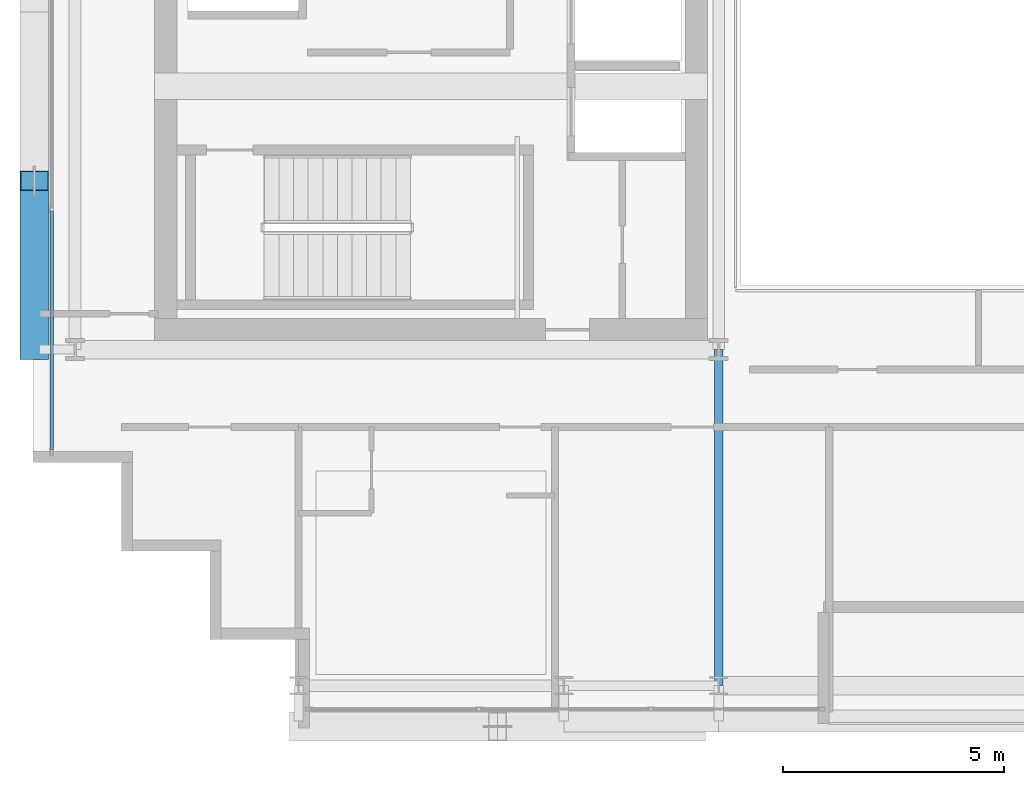
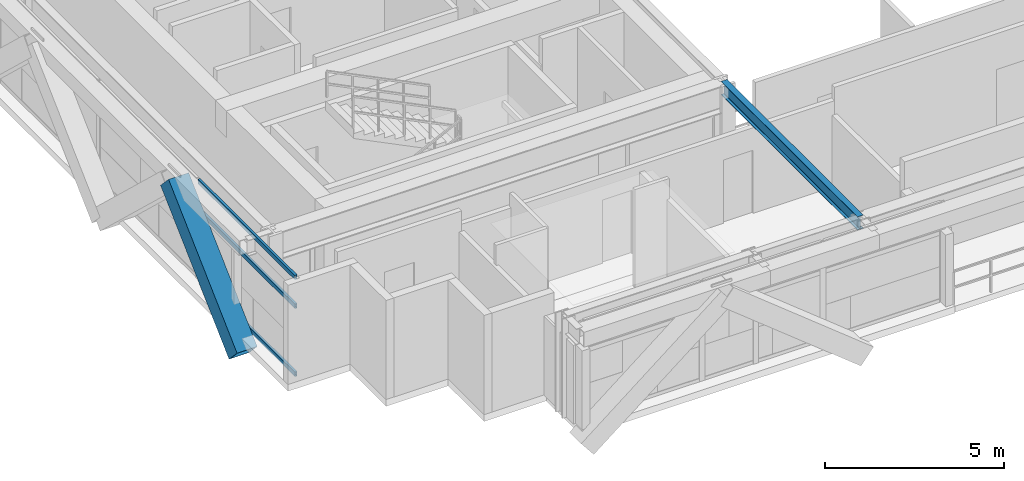
# One storey, part 3 of 31: 4 members, 1 beam, 1 element without a shape of its own.
"""IFC4 building model written with IfcOpenShell, lengths in metres."""

from ifc_helpers import new_model, si_unit, direction, frame, origin, origin_2d, place, context, subcontext, project, spatial, hollow_rectangle, i_section, extrude, source, transform, mapped, material, layer, layer_set, material_profile, profile_set, type_object, element, aggregate, save


model = new_model("IFC4")

# Units and contexts
model_context = context("Model", 3, precision=1e-05, world=origin(), true_north=direction((0.0, 1.0)))
body_context = subcontext(model_context, "Body", "Model", "MODEL_VIEW")
ifc_project = project(units=[si_unit("LENGTHUNIT", "METRE"), si_unit("AREAUNIT", "SQUARE_METRE"), si_unit("VOLUMEUNIT", "CUBIC_METRE"), si_unit("PLANEANGLEUNIT", "RADIAN"), si_unit("MASSUNIT", "GRAM", prefix="KILO")], contexts=[model_context])

# Site, building, storey
site_placement = place(None, origin())
site = spatial("IfcSite", under=ifc_project, at=site_placement, CompositionType="ELEMENT")
building_placement = place(site_placement, origin())
building = spatial("IfcBuilding", under=site, at=building_placement, Name="Ocotamira Hotel", CompositionType="ELEMENT")
storey_placement = place(building_placement, frame((0.0, 0.0, 188.39990234375)))
storey = spatial("IfcBuildingStorey", under=building, at=storey_placement, Name="L47", CompositionType="ELEMENT", Elevation=188.39990234375)

# Beam
ifc_material_1 = material(Name="Steel ASTM A992 Grade 50", Category="steel")
ifc_material_profile_1 = material_profile(ifc_material_1, i_section(OverallWidth=0.18994140625, OverallDepth=0.45703125, WebThickness=0.009033203125, FlangeThickness=0.014404296875, FilletRadius=0.010009765625, at=origin_2d()), Name="W18X50")
ifc_profile_set_1 = profile_set([ifc_material_profile_1], Name="Steel ASTM A992 Grade 50")
beam_type = type_object("IfcBeamType", Name="BM-SEC-W18X50", PredefinedType="JOIST", material=ifc_profile_set_1)
shared_shape_1 = source(origin(), body_context, "Body", "SweptSolid", [
    extrude(i_section(OverallWidth=0.18994140625, OverallDepth=0.45703125, WebThickness=0.009033203125, FlangeThickness=0.014404296875, FilletRadius=0.010009765625, at=origin_2d()), origin(), (0.0, 0.0, 1.0), 7.60009765625),
])
beam_placement = place(storey_placement, frame((23.5, 6.949951171875, 3.1416015625), z_axis=(0.0, 1.0, 0.0), x_axis=(-1.0, 0.0, 0.0)))
element("IfcBeam", 1, at=beam_placement, inside=storey, type_object=beam_type, Name="L47 Beam X23.5 Y6.95-14.55", PredefinedType="JOIST", context=body_context, shape_type="MappedRepresentation", body=[
    mapped(shared_shape_1, transform((0.0, 0.0, 0.0), scale=1.0)),
])

# Member
ifc_material_2 = material(Name="Pale-metal coated steel ASTM A913 Grade 65", Category="steel")
ifc_material_profile_2 = material_profile(ifc_material_2, hollow_rectangle(XDim=0.64990234375, YDim=0.64990234375, WallThickness=0.02197265625, at=origin_2d()), Name="BOX650X650X22")
ifc_profile_set_2 = profile_set([ifc_material_profile_2], Name="Pale-metal coated steel ASTM A913 Grade 65")
member_type_1 = type_object("IfcMemberType", Name="MEM-EXO-BOX650", PredefinedType="BRACE", material=ifc_profile_set_2)
shared_shape_2 = source(origin(), body_context, "Body", "SweptSolid", [
    extrude(hollow_rectangle(XDim=0.64990234375, YDim=0.64990234375, WallThickness=0.02197265625, at=origin_2d()), origin(), (0.0, 0.0, 1.0), 5.24658203125),
])
member_1_placement = place(storey_placement, frame((8.030029296875, 14.550048828125, -0.47998046875), z_axis=(0.0, 0.727442733726, 0.686168397078), x_axis=(-1.0, 0.0, 0.0)))
element("IfcMember", 2, at=member_1_placement, inside=storey, type_object=member_type_1, Name="L47 Exoskeleton Diagrid W0.1", PredefinedType="BRACE", context=body_context, shape_type="MappedRepresentation", body=[
    mapped(shared_shape_2, transform((0.0, 0.0, 0.0), scale=1.0)),
])

# Curtain wall, members
ifc_material_3 = material(Name="Anodised pale-metal aluminium and solar glass", Category="aluminium")
ifc_layer = layer(ifc_material_3, 0.199951171875)
ifc_layer_set = layer_set([ifc_layer], Name="Anodised pale-metal aluminium and solar glass")
curtain_wall_type = type_object("IfcCurtainWallType", Name="CW-SYS4-Z3", PredefinedType="NOTDEFINED", material=ifc_layer_set)
curtain_wall_placement = place(storey_placement, origin())
curtain_wall = element("IfcCurtainWall", 3, at=curtain_wall_placement, inside=storey, type_object=curtain_wall_type, Name="L47 Curtain Wall CW-4 CW-L47-W", PredefinedType="NOTDEFINED")
ifc_material_4 = material(Name="Anodised pale-metal aluminium 6063-T6", Category="aluminium")
ifc_material_profile_3 = material_profile(ifc_material_4, hollow_rectangle(XDim=0.074951171875, YDim=0.14990234375, WallThickness=0.006103515625, at=origin_2d()), Name="HSS150X75X6")
ifc_profile_set_3 = profile_set([ifc_material_profile_3], Name="Anodised pale-metal aluminium 6063-T6")
member_type_2 = type_object("IfcMemberType", Name="CWT-150X75", PredefinedType="USERDEFINED", material=ifc_profile_set_3)
shared_shape_3 = source(origin(), body_context, "Body", "SweptSolid", [
    extrude(hollow_rectangle(XDim=0.074951171875, YDim=0.14990234375, WallThickness=0.006103515625, at=origin_2d()), origin(), (0.0, 0.0, 1.0), 5.39990234375),
])
member_2_placement = place(storey_placement, frame((8.419921875, 12.280029296875, 0.03759765625), z_axis=(0.0, 1.0, 0.0), x_axis=(-1.0, 0.0, 0.0)))
member_2 = element("IfcMember", 4, at=member_2_placement, type_object=member_type_2, Name="CW-4 transom 1.1", ObjectType="TRANSOM", PredefinedType="USERDEFINED", context=body_context, shape_type="MappedRepresentation", body=[
    mapped(shared_shape_3, transform((0.0, 0.0, 0.0), scale=1.0)),
])
member_3_placement = place(storey_placement, frame((8.419921875, 12.280029296875, 2.35009765625), z_axis=(0.0, 1.0, 0.0), x_axis=(-1.0, 0.0, 0.0)))
member_3 = element("IfcMember", 5, at=member_3_placement, type_object=member_type_2, Name="CW-4 transom 1.2", ObjectType="TRANSOM", PredefinedType="USERDEFINED", context=body_context, shape_type="MappedRepresentation", body=[
    mapped(shared_shape_3, transform((0.0, 0.0, 0.0), scale=1.0)),
])
member_4_placement = place(storey_placement, frame((8.419921875, 12.280029296875, 3.33251953125), z_axis=(0.0, 1.0, 0.0), x_axis=(-1.0, 0.0, 0.0)))
member_4 = element("IfcMember", 6, at=member_4_placement, type_object=member_type_2, Name="CW-4 transom 1.3", ObjectType="TRANSOM", PredefinedType="USERDEFINED", context=body_context, shape_type="MappedRepresentation", body=[
    mapped(shared_shape_3, transform((0.0, 0.0, 0.0), scale=1.0)),
])
aggregate(curtain_wall, [member_2, member_3, member_4])

save(model, "model.ifc")
